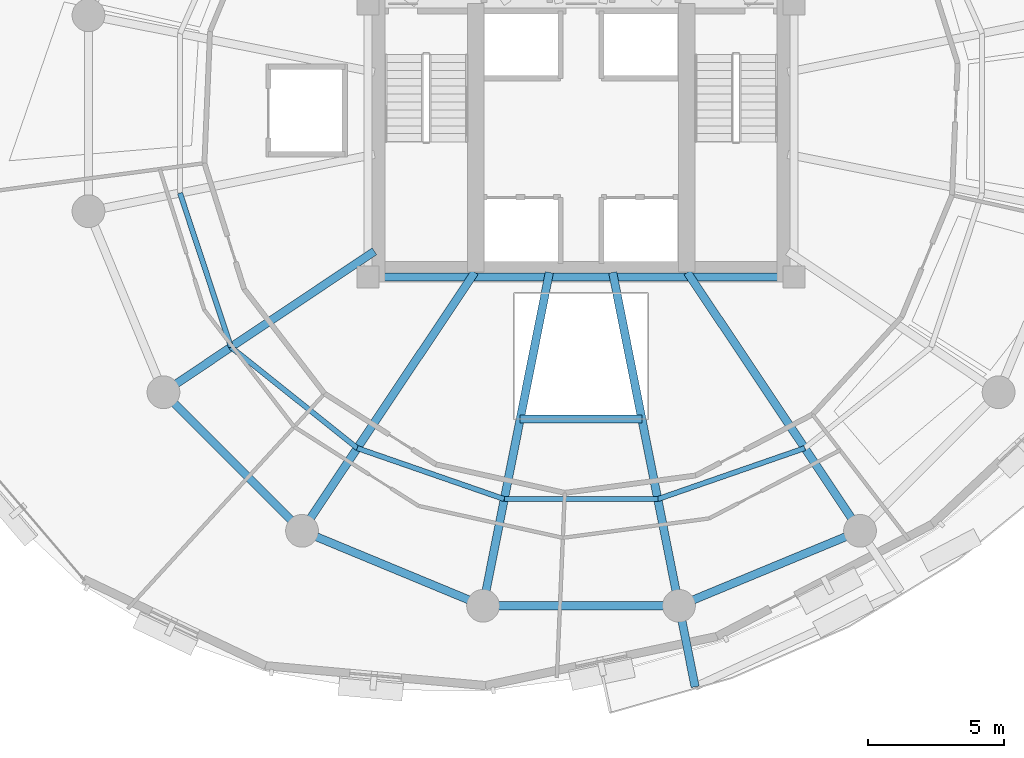
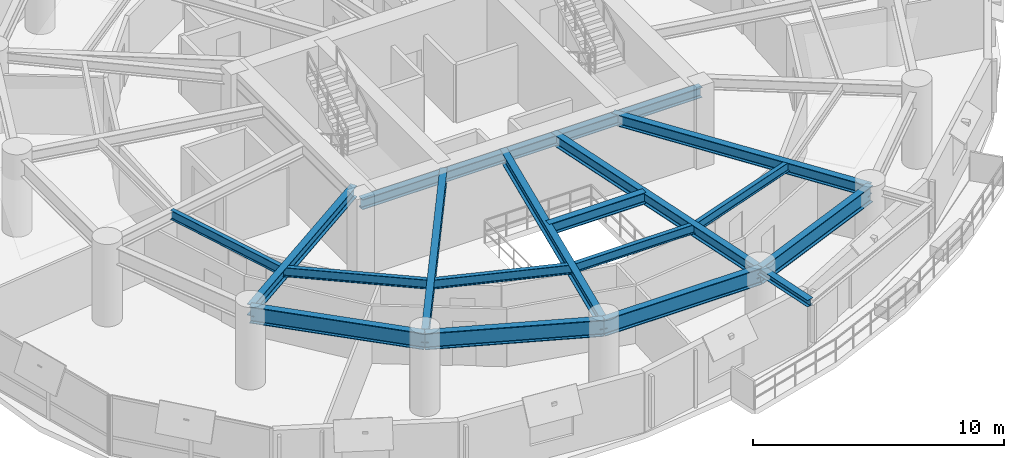
# One storey, part 3 of 14: 17 beams.
"""IFC4 building model written with IfcOpenShell, lengths in metres."""

import ifcopenshell
import ifcopenshell.guid

model = None  # the IFC model being written
_history = None  # IfcOwnerHistory: only IFC2X3 demands one
_inside = {}  # id of a spatial element -> (the spatial element, [elements in it])
_under = {}  # id of a project, library or spatial element -> (it, [spatial elements below it])
_declared = {}  # id of a project -> (the project, [libraries it declares])
_typed = {}  # id of a type object -> (the type object, [elements of that type])
_made_of = {}  # id of a material, layer set ... -> (it, [elements and type objects made of it])


def new_model(schema):
    """Start an empty IFC model of exactly this schema.

    Asked for "IFC4X3", IfcOpenShell would pick the latest addendum, in which some entities
    have other attributes; the version numbers below select the first issue.
    IFC2X3 requires an IfcOwnerHistory on every rooted entity: one is made here for all.
    """
    global model, _history
    if schema == "IFC4X3":
        model = ifcopenshell.file(schema_version=(4, 3, 0, 0))
    else:
        model = ifcopenshell.file(schema=schema)
    _inside.clear()
    _under.clear()
    _declared.clear()
    _typed.clear()
    _made_of.clear()
    _history = None
    if model.schema == "IFC2X3":
        org = make("IfcOrganization", Name="unknown")
        user = make(
            "IfcPersonAndOrganization",
            ThePerson=make("IfcPerson", FamilyName="unknown"),
            TheOrganization=org,
        )
        app = make(
            "IfcApplication",
            ApplicationDeveloper=org,
            Version="unknown",
            ApplicationFullName="unknown",
            ApplicationIdentifier="unknown",
        )
        _history = make(
            "IfcOwnerHistory",
            OwningUser=user,
            OwningApplication=app,
            ChangeAction="ADDED",
            CreationDate=0,
        )
    return model


def make(cls, **values):
    """One entity of the class cls with the attributes given. An attribute that is None is left unset."""
    return model.create_entity(
        cls, **{name: value for name, value in values.items() if value is not None}
    )


def rooted(cls, **values):
    """An entity with a GlobalId (a new one), such as an element, a storey or a relation."""
    return make(cls, GlobalId=ifcopenshell.guid.new(), OwnerHistory=_history, **values)


def si_unit(unit_type, name, prefix=None):
    """IfcSIUnit, for example si_unit("LENGTHUNIT", "METRE", prefix="MILLI")."""
    return make("IfcSIUnit", UnitType=unit_type, Prefix=prefix, Name=name)


def assignment(units):
    """IfcUnitAssignment: the units of a project."""
    return None if units is None else make("IfcUnitAssignment", Units=units)


def point(xyz):
    """IfcCartesianPoint."""
    return None if xyz is None else make("IfcCartesianPoint", Coordinates=xyz)


def direction(xyz):
    """IfcDirection."""
    return None if xyz is None else make("IfcDirection", DirectionRatios=xyz)


def frame(location, z_axis=None, x_axis=None):
    """IfcAxis2Placement3D, a coordinate frame: its origin and axes. An axis left out is left unset."""
    return make(
        "IfcAxis2Placement3D",
        Location=point(location),
        Axis=direction(z_axis),
        RefDirection=direction(x_axis),
    )


def frame_2d(location, x_axis=None):
    """IfcAxis2Placement2D, a coordinate frame in the plane: its origin and x axis."""
    return make(
        "IfcAxis2Placement2D", Location=point(location), RefDirection=direction(x_axis)
    )


def origin():
    """The frame at (0, 0, 0) with its axes left unset."""
    return frame((0.0, 0.0, 0.0))


def origin_2d():
    """The frame at (0, 0) in the plane with its x axis left unset."""
    return frame_2d((0.0, 0.0))


def place(relative_to, where):
    """IfcLocalPlacement: puts the frame where relative to a parent placement (None: the world)."""
    return make(
        "IfcLocalPlacement", PlacementRelTo=relative_to, RelativePlacement=where
    )


def context(
    kind, dimensions, precision=None, world=None, true_north=None, identifier=None
):
    """IfcGeometricRepresentationContext, for example the 3D "Model" context."""
    return make(
        "IfcGeometricRepresentationContext",
        ContextIdentifier=identifier,
        ContextType=kind,
        CoordinateSpaceDimension=dimensions,
        Precision=precision,
        WorldCoordinateSystem=world,
        TrueNorth=true_north,
    )


def subcontext(parent, identifier, kind, view, scale=None):
    """IfcGeometricRepresentationSubContext, for example "Body" below "Model"."""
    return make(
        "IfcGeometricRepresentationSubContext",
        ContextIdentifier=identifier,
        ContextType=kind,
        ParentContext=parent,
        TargetScale=scale,
        TargetView=view,
    )


def project(units=None, contexts=None):
    """IfcProject with its units and contexts."""
    return rooted(
        "IfcProject",
        Name="project",
        RepresentationContexts=contexts,
        UnitsInContext=assignment(units),
    )


def spatial(cls, under=None, at=None, **own):
    """A site, building, storey or space (cls), placed at a placement, below another one or the project."""
    s = rooted(cls, ObjectPlacement=at, **own)
    if under is not None:
        _under.setdefault(under.id(), (under, []))[1].append(s)
    return s


def profile(cls, at=None, kind="AREA", **sizes):
    """A parametric profile (cls). Its sizes go by their IFC names, for example OverallWidth=200.0."""
    return make(cls, ProfileType=kind, Position=at, **sizes)


def i_section(**sizes):
    """IfcIShapeProfileDef."""
    return profile("IfcIShapeProfileDef", **sizes)


def extrude(swept, where, along, depth):
    """IfcExtrudedAreaSolid: the profile swept, set in the frame where, extruded along a direction by depth."""
    return make(
        "IfcExtrudedAreaSolid",
        SweptArea=swept,
        Position=where,
        ExtrudedDirection=direction(along),
        Depth=depth,
    )


def shape(context_of_items, identifier, shape_type, items):
    """IfcShapeRepresentation: the items that make up one representation, for example the "Body"."""
    return make(
        "IfcShapeRepresentation",
        ContextOfItems=context_of_items,
        RepresentationIdentifier=identifier,
        RepresentationType=shape_type,
        Items=items,
    )


def material(Name=None, Category=None):
    """IfcMaterial."""
    return make("IfcMaterial", Name=Name, Category=Category)


def material_profile(
    of_material, cross_section, Name=None, Category=None, Priority=None
):
    """IfcMaterialProfile: a cross section and its material."""
    return make(
        "IfcMaterialProfile",
        Name=Name,
        Material=of_material,
        Profile=cross_section,
        Priority=Priority,
        Category=Category,
    )


def profile_set(profiles, Name=None, composite=None):
    """IfcMaterialProfileSet."""
    return make(
        "IfcMaterialProfileSet",
        Name=Name,
        MaterialProfiles=profiles,
        CompositeProfile=composite,
    )


def made_of(thing, what):
    """Note that an element or type object is made of a material, layer set ...; save() writes the relation."""
    if what is not None:
        _made_of.setdefault(what.id(), (what, []))[1].append(thing)
    return thing


def type_object(cls, material=None, **own):
    """A type object (cls), such as IfcWallType, which elements share."""
    return made_of(rooted(cls, **own), material)


def element(
    cls,
    number,
    at=None,
    inside=None,
    cuts=None,
    type_object=None,
    material=None,
    context=None,
    identifier="Body",
    shape_type=None,
    held_by="IfcProductDefinitionShape",
    body=None,
    shapes=None,
    **own,
):
    """One element of the class cls, such as IfcWall. Its Tag is "e" and its number.

    at: its placement. inside: the storey or other place that contains it. cuts: it is an
    opening in that element (IfcRelVoidsElement). A single representation is given by context,
    identifier, shape_type and body (its items); several are given by shapes. held_by: the class
    of the entity that holds the representations. save() writes the other relations.
    """
    e = rooted(cls, Tag="e%d" % number, ObjectPlacement=at, **own)
    if body is not None:
        shapes = [shape(context, identifier, shape_type, body)]
    if shapes is not None:
        e.Representation = make(held_by, Representations=shapes)
    if inside is not None:
        _inside.setdefault(inside.id(), (inside, []))[1].append(e)
    if cuts is not None:
        rooted(
            "IfcRelVoidsElement", RelatingBuildingElement=cuts, RelatedOpeningElement=e
        )
    if type_object is not None:
        _typed.setdefault(type_object.id(), (type_object, []))[1].append(e)
    return made_of(e, material)


def aggregate(whole, parts):
    """IfcRelAggregates: a whole, such as a stair, and the parts it consists of."""
    return rooted("IfcRelAggregates", RelatingObject=whole, RelatedObjects=parts)


def save(model, path):
    """Write the relations noted so far, then the file.

    IfcRelAggregates (storeys below a building ...), IfcRelContainedInSpatialStructure (elements
    in a storey), IfcRelDefinesByType, IfcRelAssociatesMaterial and IfcRelDeclares: one each for
    every whole, place, type object, material and project.
    """
    for whole, parts in _under.values():
        aggregate(whole, parts)
    for where, things in _inside.values():
        rooted(
            "IfcRelContainedInSpatialStructure",
            RelatedElements=things,
            RelatingStructure=where,
        )
    for kind, things in _typed.values():
        rooted("IfcRelDefinesByType", RelatedObjects=things, RelatingType=kind)
    for what, things in _made_of.values():
        rooted("IfcRelAssociatesMaterial", RelatedObjects=things, RelatingMaterial=what)
    for by, libraries in _declared.values():
        rooted("IfcRelDeclares", RelatingContext=by, RelatedDefinitions=libraries)
    model.write(path)


model = new_model("IFC4")

# Units and contexts
model_context = context("Model", 3, precision=1e-05, world=origin(), true_north=direction((0.0, 1.0)))
body_context = subcontext(model_context, "Body", "Model", "MODEL_VIEW")
ifc_project = project(units=[si_unit("LENGTHUNIT", "METRE"), si_unit("AREAUNIT", "SQUARE_METRE"), si_unit("VOLUMEUNIT", "CUBIC_METRE"), si_unit("PLANEANGLEUNIT", "RADIAN"), si_unit("MASSUNIT", "GRAM", prefix="KILO"), si_unit("THERMODYNAMICTEMPERATUREUNIT", "KELVIN"), si_unit("POWERUNIT", "WATT")], contexts=[model_context])

# Site, building, storey
site_placement = place(None, origin())
site = spatial("IfcSite", under=ifc_project, at=site_placement, CompositionType="ELEMENT")
building_placement = place(site_placement, origin())
building = spatial("IfcBuilding", under=site, at=building_placement, Name="Ocrelia Relay Tower", CompositionType="ELEMENT")
storey_placement = place(building_placement, frame((0.0, 0.0, 149.800048828125)))
storey = spatial("IfcBuildingStorey", under=building, at=storey_placement, Name="L35", CompositionType="ELEMENT", Elevation=149.800048828125)

# Beams
ifc_material = material(Name="Steel S355", Category="steel")
ifc_material_profile_1 = material_profile(ifc_material, i_section(OverallWidth=0.300048828125, OverallDepth=0.330078125, WebThickness=0.009521484375, FlangeThickness=0.0166015625, FilletRadius=0.027099609375, at=origin_2d()), Name="HEA 340")
ifc_profile_set_1 = profile_set([ifc_material_profile_1], Name="Steel S355")
beam_type_1 = type_object("IfcBeamType", Name="BM-HEA340", PredefinedType="BEAM", material=ifc_profile_set_1)
beam_1_placement = place(storey_placement, frame((37.589599609375, 7.95361328125, 3.554931640625), z_axis=(0.195091972221, -0.980784952156, 0.0), x_axis=(0.980784952156, 0.195091972221, 0.0)))
element("IfcBeam", 1, at=beam_1_placement, inside=storey, type_object=beam_type_1, Name="L36 Balcony Cantilever Beam B2-1", PredefinedType="BEAM", context=body_context, shape_type="SweptSolid", body=[
    extrude(i_section(OverallWidth=0.300048828125, OverallDepth=0.330078125, WebThickness=0.009521484375, FlangeThickness=0.0166015625, FilletRadius=0.027099609375, at=origin_2d()), origin(), (0.0, 0.0, 1.0), 3.02587890625),
])
ifc_material_profile_2 = material_profile(ifc_material, i_section(OverallWidth=0.300048828125, OverallDepth=0.5, WebThickness=0.014404296875, FlangeThickness=0.028076171875, FilletRadius=0.027099609375, at=origin_2d()), Name="HEB 500")
ifc_profile_set_2 = profile_set([ifc_material_profile_2], Name="Steel S355")
beam_type_2 = type_object("IfcBeamType", Name="BM-HEB500", PredefinedType="BEAM", material=ifc_profile_set_2)
beam_2_placement = place(storey_placement, frame((26.199951171875, 20.0, 3.469970703125), z_axis=(1.0, 0.0, 0.0), x_axis=(0.0, 1.0, 0.0)))
element("IfcBeam", 2, at=beam_2_placement, inside=storey, type_object=beam_type_2, Name="L35 Core Pilaster Tie Beam S", PredefinedType="BEAM", context=body_context, shape_type="SweptSolid", body=[
    extrude(i_section(OverallWidth=0.300048828125, OverallDepth=0.5, WebThickness=0.014404296875, FlangeThickness=0.028076171875, FilletRadius=0.027099609375, at=origin_2d()), origin(), (0.0, 0.0, 1.0), 15.60009765625),
])
ifc_material_profile_3 = material_profile(ifc_material, i_section(OverallWidth=0.300048828125, OverallDepth=0.550048828125, WebThickness=0.014892578125, FlangeThickness=0.029052734375, FilletRadius=0.027099609375, at=origin_2d()), Name="HEB 550")
ifc_profile_set_3 = profile_set([ifc_material_profile_3], Name="Steel S355")
beam_type_3 = type_object("IfcBeamType", Name="BM-HEB550", PredefinedType="BEAM", material=ifc_profile_set_3)
beam_3_placement = place(storey_placement, frame((18.700927734375, 15.777587890625, 3.445068359375), z_axis=(0.831472030531, 0.555566613868, 0.0), x_axis=(-0.555566613868, 0.831472030531, 0.0)))
element("IfcBeam", 3, at=beam_3_placement, inside=storey, type_object=beam_type_3, Name="L35 Radial Floor Girder R10", PredefinedType="BEAM", context=body_context, shape_type="SweptSolid", body=[
    extrude(i_section(OverallWidth=0.300048828125, OverallDepth=0.550048828125, WebThickness=0.014892578125, FlangeThickness=0.029052734375, FilletRadius=0.027099609375, at=origin_2d()), origin(), (0.0, 0.0, 1.0), 9.295654296875),
])
beam_4_placement = place(storey_placement, frame((23.777587890625, 10.700927734375, 3.445068359375), z_axis=(0.555565661158, 0.831472667105, 0.0), x_axis=(-0.831472667105, 0.555565661158, 0.0)))
element("IfcBeam", 4, at=beam_4_placement, inside=storey, type_object=beam_type_3, Name="L35 Radial Floor Girder R11", PredefinedType="BEAM", context=body_context, shape_type="SweptSolid", body=[
    extrude(i_section(OverallWidth=0.300048828125, OverallDepth=0.550048828125, WebThickness=0.014892578125, FlangeThickness=0.029052734375, FilletRadius=0.027099609375, at=origin_2d()), origin(), (0.0, 0.0, 1.0), 11.38818359375),
])
for number, where, z_axis, x_axis, name in (
    (5, (30.410400390625, 7.95361328125, 3.445068359375), (0.195086983979, 0.980785944374, 0.0), (-0.980785944374, 0.195086983979, 0.0), "L35 Radial Floor Girder R12"),
    (6, (37.589599609375, 7.95361328125, 3.445068359375), (-0.195086983979, 0.980785944374, 0.0), (-0.980785944374, -0.195086983979, 0.0), "L35 Radial Floor Girder R13"),
):
    element("IfcBeam", number, at=place(storey_placement, frame(where, z_axis=z_axis, x_axis=x_axis)), inside=storey, type_object=beam_type_3, Name=name, PredefinedType="BEAM", context=body_context, shape_type="SweptSolid", body=[
        extrude(i_section(OverallWidth=0.300048828125, OverallDepth=0.550048828125, WebThickness=0.014892578125, FlangeThickness=0.029052734375, FilletRadius=0.027099609375, at=origin_2d()), origin(), (0.0, 0.0, 1.0), 12.45556640625),
    ])
beam_5_placement = place(storey_placement, frame((44.222412109375, 10.700927734375, 3.445068359375), z_axis=(-0.555565661158, 0.831472667105, 0.0), x_axis=(-0.831472667105, -0.555565661158, 0.0)))
element("IfcBeam", 7, at=beam_5_placement, inside=storey, type_object=beam_type_3, Name="L35 Radial Floor Girder R14", PredefinedType="BEAM", context=body_context, shape_type="SweptSolid", body=[
    extrude(i_section(OverallWidth=0.300048828125, OverallDepth=0.550048828125, WebThickness=0.014892578125, FlangeThickness=0.029052734375, FilletRadius=0.027099609375, at=origin_2d()), origin(), (0.0, 0.0, 1.0), 11.38818359375),
])
beam_6_placement = place(storey_placement, frame((31.772216796875, 14.800048828125, 3.445068359375), z_axis=(1.0, 0.0, 0.0), x_axis=(0.0, 1.0, 0.0)))
element("IfcBeam", 8, at=beam_6_placement, inside=storey, type_object=beam_type_3, Name="L35 Atrium South Trimmer Beam", PredefinedType="BEAM", context=body_context, shape_type="SweptSolid", body=[
    extrude(i_section(OverallWidth=0.300048828125, OverallDepth=0.550048828125, WebThickness=0.014892578125, FlangeThickness=0.029052734375, FilletRadius=0.027099609375, at=origin_2d()), origin(), (0.0, 0.0, 1.0), 4.45556640625),
])
ifc_material_profile_4 = material_profile(ifc_material, i_section(OverallWidth=0.300048828125, OverallDepth=0.800048828125, WebThickness=0.017578125, FlangeThickness=0.032958984375, FilletRadius=0.030029296875, at=origin_2d()), Name="HEB 800")
ifc_profile_set_4 = profile_set([ifc_material_profile_4], Name="Steel S355")
beam_type_4 = type_object("IfcBeamType", Name="BM-HEB800", PredefinedType="BEAM", material=ifc_profile_set_4)
beam_7_placement = place(storey_placement, frame((18.700927734375, 15.777587890625, 3.320068359375), z_axis=(0.707106781187, -0.707106781187, 0.0), x_axis=(0.707106781187, 0.707106781187, 0.0)))
element("IfcBeam", 9, at=beam_7_placement, inside=storey, type_object=beam_type_4, Name="L35 Perimeter Spandrel Beam S10", PredefinedType="BEAM", context=body_context, shape_type="SweptSolid", body=[
    extrude(i_section(OverallWidth=0.300048828125, OverallDepth=0.800048828125, WebThickness=0.017578125, FlangeThickness=0.032958984375, FilletRadius=0.030029296875, at=origin_2d()), origin(), (0.0, 0.0, 1.0), 7.179443359375),
])
for number, where, z_axis, x_axis, name in (
    (10, (23.777587890625, 10.700927734375, 3.320068359375), (0.923883789366, -0.382673155247, 0.0), (0.382673155247, 0.923883789366, 0.0), "L35 Perimeter Spandrel Beam S11"),
    (11, (30.410400390625, 7.95361328125, 3.320068359375), (1.0, 0.0, 0.0), (0.0, 1.0, 0.0), "L35 Perimeter Spandrel Beam S12"),
    (12, (37.589599609375, 7.95361328125, 3.320068359375), (0.923883789366, 0.382673155247, 0.0), (-0.382673155247, 0.923883789366, 0.0), "L35 Perimeter Spandrel Beam S13"),
):
    element("IfcBeam", number, at=place(storey_placement, frame(where, z_axis=z_axis, x_axis=x_axis)), inside=storey, type_object=beam_type_4, Name=name, PredefinedType="BEAM", context=body_context, shape_type="SweptSolid", body=[
        extrude(i_section(OverallWidth=0.300048828125, OverallDepth=0.800048828125, WebThickness=0.017578125, FlangeThickness=0.032958984375, FilletRadius=0.030029296875, at=origin_2d()), origin(), (0.0, 0.0, 1.0), 7.17919921875),
    ])
ifc_material_profile_5 = material_profile(ifc_material, i_section(OverallWidth=0.18994140625, OverallDepth=0.449951171875, WebThickness=0.009521484375, FlangeThickness=0.0146484375, FilletRadius=0.02099609375, at=origin_2d()), Name="IPE 450")
ifc_profile_set_5 = profile_set([ifc_material_profile_5], Name="Steel S355")
beam_type_5 = type_object("IfcBeamType", Name="BM-IPE450", PredefinedType="JOIST", material=ifc_profile_set_5)
beam_8_placement = place(storey_placement, frame((19.305908203125, 23.0771484375, 3.494873046875), z_axis=(0.314121352003, -0.949382839647, 0.0), x_axis=(0.949382839647, 0.314121352003, 0.0)))
element("IfcBeam", 13, at=beam_8_placement, inside=storey, type_object=beam_type_5, Name="L35 Secondary Floor Joist J09", PredefinedType="JOIST", context=body_context, shape_type="SweptSolid", body=[
    extrude(i_section(OverallWidth=0.18994140625, OverallDepth=0.449951171875, WebThickness=0.009521484375, FlangeThickness=0.0146484375, FilletRadius=0.02099609375, at=origin_2d()), origin(), (0.0, 0.0, 1.0), 5.947998046875),
])
beam_9_placement = place(storey_placement, frame((21.17431640625, 17.43017578125, 3.494873046875), z_axis=(0.781130070991, -0.62436833055, 0.0), x_axis=(0.62436833055, 0.781130070991, 0.0)))
element("IfcBeam", 14, at=beam_9_placement, inside=storey, type_object=beam_type_5, Name="L35 Secondary Floor Joist J10", PredefinedType="JOIST", context=body_context, shape_type="SweptSolid", body=[
    extrude(i_section(OverallWidth=0.18994140625, OverallDepth=0.449951171875, WebThickness=0.009521484375, FlangeThickness=0.0146484375, FilletRadius=0.02099609375, at=origin_2d()), origin(), (0.0, 0.0, 1.0), 5.92431640625),
])
beam_10_placement = place(storey_placement, frame((25.802001953125, 13.731201171875, 3.494873046875), z_axis=(0.944767437111, -0.327741498401, 0.0), x_axis=(0.327741498401, 0.944767437111, 0.0)))
element("IfcBeam", 15, at=beam_10_placement, inside=storey, type_object=beam_type_5, Name="L35 Secondary Floor Joist J11", PredefinedType="JOIST", context=body_context, shape_type="SweptSolid", body=[
    extrude(i_section(OverallWidth=0.18994140625, OverallDepth=0.449951171875, WebThickness=0.009521484375, FlangeThickness=0.0146484375, FilletRadius=0.02099609375, at=origin_2d()), origin(), (0.0, 0.0, 1.0), 5.700927734375),
])
beam_11_placement = place(storey_placement, frame((31.18798828125, 11.86279296875, 3.494873046875), z_axis=(1.0, 0.0, 0.0), x_axis=(0.0, 1.0, 0.0)))
element("IfcBeam", 16, at=beam_11_placement, inside=storey, type_object=beam_type_5, Name="L35 Secondary Floor Joist J12", PredefinedType="JOIST", context=body_context, shape_type="SweptSolid", body=[
    extrude(i_section(OverallWidth=0.18994140625, OverallDepth=0.449951171875, WebThickness=0.009521484375, FlangeThickness=0.0146484375, FilletRadius=0.02099609375, at=origin_2d()), origin(), (0.0, 0.0, 1.0), 5.6240234375),
])
beam_12_placement = place(storey_placement, frame((36.81201171875, 11.86279296875, 3.494873046875), z_axis=(0.944767437111, 0.327741498401, 0.0), x_axis=(-0.327741498401, 0.944767437111, 0.0)))
element("IfcBeam", 17, at=beam_12_placement, inside=storey, type_object=beam_type_5, Name="L35 Secondary Floor Joist J13", PredefinedType="JOIST", context=body_context, shape_type="SweptSolid", body=[
    extrude(i_section(OverallWidth=0.18994140625, OverallDepth=0.449951171875, WebThickness=0.009521484375, FlangeThickness=0.0146484375, FilletRadius=0.02099609375, at=origin_2d()), origin(), (0.0, 0.0, 1.0), 5.700927734375),
])

save(model, "model.ifc")
